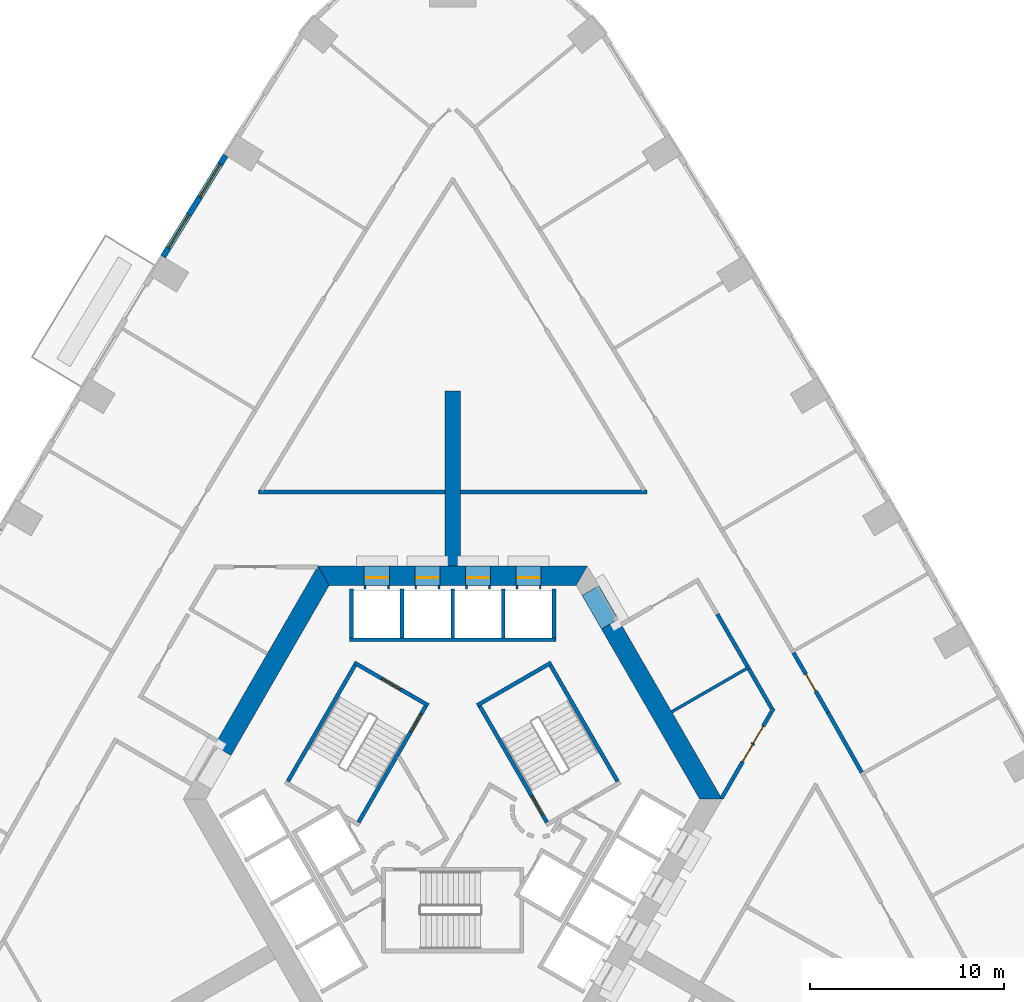
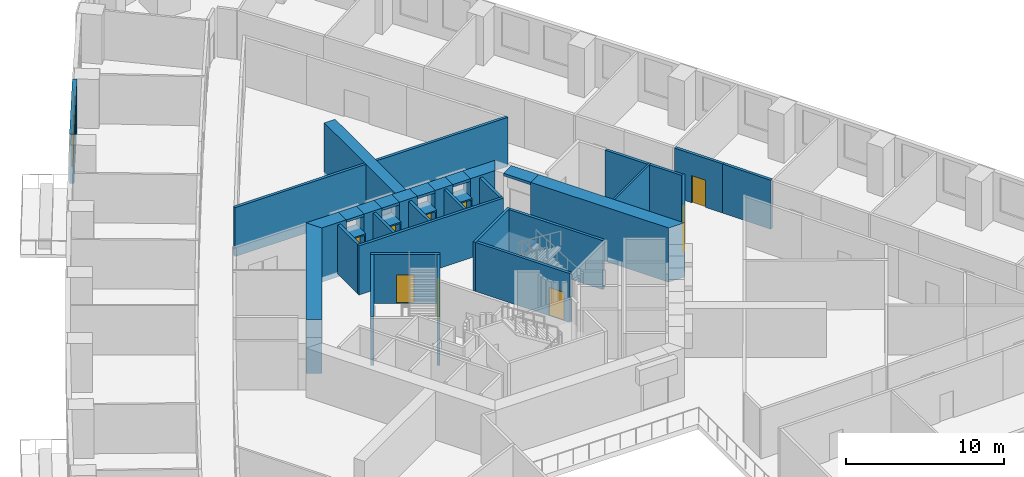
# One storey, part 9 of 16: 38 walls, 10 doors, 2 windows, 12 openings.
"""IFC4 building model written with IfcOpenShell, lengths in metres."""

from ifc_helpers import new_model, si_unit, direction, frame, frame_2d, origin, place, context, subcontext, project, spatial, polyline, rectangle, outline, extrude, material, layer, layer_set, type_object, element, fill, save


model = new_model("IFC4")

# Units and contexts
model_context = context("Model", 3, precision=1e-05, world=origin(), true_north=direction((0.0, 1.0)))
body_context = subcontext(model_context, "Body", "Model", "MODEL_VIEW")
ifc_project = project(units=[si_unit("LENGTHUNIT", "METRE"), si_unit("AREAUNIT", "SQUARE_METRE"), si_unit("VOLUMEUNIT", "CUBIC_METRE"), si_unit("PLANEANGLEUNIT", "RADIAN"), si_unit("MASSUNIT", "GRAM", prefix="KILO")], contexts=[model_context])

# Site, building, storey
site_placement = place(None, origin())
site = spatial("IfcSite", under=ifc_project, at=site_placement, CompositionType="ELEMENT")
building_placement = place(site_placement, origin())
building = spatial("IfcBuilding", under=site, at=building_placement, Name="Entoto Arch Interchange Tower", CompositionType="ELEMENT")
storey_placement = place(building_placement, frame((0.0, 0.0, 43.39990234375)))
storey = spatial("IfcBuildingStorey", under=building, at=storey_placement, Name="L08", CompositionType="ELEMENT", Elevation=43.39990234375)

# Walls
ifc_material_1 = material(Name="Concrete C60/75", Category="concrete")
ifc_layer_1 = layer(ifc_material_1, 0.800048828125)
ifc_layer_set_1 = layer_set([ifc_layer_1], Name="Concrete C60/75")
wall_type_1 = type_object("IfcWallType", Name="Buttress wall 800 C60/75", PredefinedType="SHEAR", material=ifc_layer_set_1)
wall_1_placement = place(storey_placement, frame((0.0, 14.5, -0.39990234375), z_axis=(0.0, 0.0, 1.0), x_axis=(0.0, 1.0, 0.0)))
element("IfcWall", 1, at=wall_1_placement, inside=storey, type_object=wall_type_1, Name="Buttress wall N L08", PredefinedType="SHEAR", context=body_context, shape_type="SweptSolid", body=[
    extrude(rectangle(XDim=9.0, YDim=0.800048828125, at=frame_2d((4.5, 0.0))), origin(), (0.0, 0.0, 1.0), 4.199951171875),
])
ifc_layer_2 = layer(ifc_material_1, 1.0)
ifc_layer_set_2 = layer_set([ifc_layer_2], Name="Concrete C60/75")
wall_type_2 = type_object("IfcWallType", Name="Core wall 1000 C60/75", PredefinedType="SHEAR", material=ifc_layer_set_2)
wall_2_placement = place(storey_placement, frame((0.0, 0.0, -0.39990234375)))
element("IfcWall", 2, at=wall_2_placement, inside=storey, type_object=wall_type_2, Name="Core wall NE L08", PredefinedType="SHEAR", context=body_context, shape_type="SweptSolid", body=[
    extrude(outline(polyline([(8.51708984375, 11.748046875), (7.65087890625, 11.248046875), (12.701904296875, 2.5), (13.85595703125, 2.5), (8.51708984375, 11.748046875)])), origin(), (0.0, 0.0, 1.0), 4.199951171875),
])
wall_3_placement = place(storey_placement, frame((0.0, 0.0, 3.60009765625)))
element("IfcWall", 3, at=wall_3_placement, inside=storey, type_object=wall_type_2, Name="Core wall lintel NE L08", PredefinedType="SHEAR", context=body_context, shape_type="SweptSolid", body=[
    extrude(outline(polyline([(7.51708984375, 13.47998046875), (6.65087890625, 12.97998046875), (7.65087890625, 11.248046875), (8.51708984375, 11.748046875), (7.51708984375, 13.47998046875)])), origin(), (0.0, 0.0, 1.0), 0.199951171875),
])
wall_4_placement = place(storey_placement, frame((0.0, 0.0, -0.39990234375)))
element("IfcWall", 4, at=wall_4_placement, inside=storey, type_object=wall_type_2, Name="Core wall N L08", PredefinedType="SHEAR", context=body_context, shape_type="SweptSolid", body=[
    extrude(outline(polyline([(4.550048828125, 14.5), (4.550048828125, 13.5), (6.35107421875, 13.5), (6.927978515625, 14.5), (4.550048828125, 14.5)])), origin(), (0.0, 0.0, 1.0), 4.199951171875),
])
wall_5_placement = place(storey_placement, frame((0.0, 0.0, -0.39990234375)))
element("IfcWall", 5, at=wall_5_placement, inside=storey, type_object=wall_type_2, Name="Core wall N L08", PredefinedType="SHEAR", context=body_context, shape_type="SweptSolid", body=[
    extrude(outline(polyline([(1.949951171875, 14.5), (1.949951171875, 13.5), (3.25, 13.5), (3.25, 14.5), (1.949951171875, 14.5)])), origin(), (0.0, 0.0, 1.0), 4.199951171875),
])
wall_6_placement = place(storey_placement, frame((0.0, 0.0, -0.39990234375)))
element("IfcWall", 6, at=wall_6_placement, inside=storey, type_object=wall_type_2, Name="Core wall N L08", PredefinedType="SHEAR", context=body_context, shape_type="SweptSolid", body=[
    extrude(outline(polyline([(-0.64990234375, 14.5), (-0.64990234375, 13.5), (0.64990234375, 13.5), (0.64990234375, 14.5), (-0.64990234375, 14.5)])), origin(), (0.0, 0.0, 1.0), 4.199951171875),
])
wall_7_placement = place(storey_placement, frame((0.0, 0.0, -0.39990234375)))
element("IfcWall", 7, at=wall_7_placement, inside=storey, type_object=wall_type_2, Name="Core wall N L08", PredefinedType="SHEAR", context=body_context, shape_type="SweptSolid", body=[
    extrude(outline(polyline([(-3.25, 14.5), (-3.25, 13.5), (-1.949951171875, 13.5), (-1.949951171875, 14.5), (-3.25, 14.5)])), origin(), (0.0, 0.0, 1.0), 4.199951171875),
])
wall_8_placement = place(storey_placement, frame((0.0, 0.0, -0.39990234375)))
element("IfcWall", 8, at=wall_8_placement, inside=storey, type_object=wall_type_2, Name="Core wall N L08", PredefinedType="SHEAR", context=body_context, shape_type="SweptSolid", body=[
    extrude(outline(polyline([(-4.550048828125, 13.5), (-4.550048828125, 14.5), (-6.927978515625, 14.5), (-6.35107421875, 13.5), (-4.550048828125, 13.5)])), origin(), (0.0, 0.0, 1.0), 4.199951171875),
])
wall_9_placement = place(storey_placement, frame((0.0, 0.0, 3.60009765625)))
element("IfcWall", 9, at=wall_9_placement, inside=storey, type_object=wall_type_2, Name="Core wall lintel N L08", PredefinedType="SHEAR", context=body_context, shape_type="SweptSolid", body=[
    extrude(outline(polyline([(3.25, 14.5), (3.25, 13.5), (4.550048828125, 13.5), (4.550048828125, 14.5), (3.25, 14.5)])), origin(), (0.0, 0.0, 1.0), 0.199951171875),
])
wall_10_placement = place(storey_placement, frame((0.0, 0.0, 3.60009765625)))
element("IfcWall", 10, at=wall_10_placement, inside=storey, type_object=wall_type_2, Name="Core wall lintel N L08", PredefinedType="SHEAR", context=body_context, shape_type="SweptSolid", body=[
    extrude(outline(polyline([(0.64990234375, 14.5), (0.64990234375, 13.5), (1.949951171875, 13.5), (1.949951171875, 14.5), (0.64990234375, 14.5)])), origin(), (0.0, 0.0, 1.0), 0.199951171875),
])
wall_11_placement = place(storey_placement, frame((0.0, 0.0, 3.60009765625)))
element("IfcWall", 11, at=wall_11_placement, inside=storey, type_object=wall_type_2, Name="Core wall lintel N L08", PredefinedType="SHEAR", context=body_context, shape_type="SweptSolid", body=[
    extrude(outline(polyline([(-1.949951171875, 14.5), (-1.949951171875, 13.5), (-0.64990234375, 13.5), (-0.64990234375, 14.5), (-1.949951171875, 14.5)])), origin(), (0.0, 0.0, 1.0), 0.199951171875),
])
wall_12_placement = place(storey_placement, frame((0.0, 0.0, 3.60009765625)))
element("IfcWall", 12, at=wall_12_placement, inside=storey, type_object=wall_type_2, Name="Core wall lintel N L08", PredefinedType="SHEAR", context=body_context, shape_type="SweptSolid", body=[
    extrude(outline(polyline([(-4.550048828125, 14.5), (-4.550048828125, 13.5), (-3.25, 13.5), (-3.25, 14.5), (-4.550048828125, 14.5)])), origin(), (0.0, 0.0, 1.0), 0.199951171875),
])
wall_13_placement = place(storey_placement, frame((0.0, 0.0, -0.39990234375)))
element("IfcWall", 13, at=wall_13_placement, inside=storey, type_object=wall_type_2, Name="Core wall NW L08", PredefinedType="SHEAR", context=body_context, shape_type="SweptSolid", body=[
    extrude(outline(polyline([(-12.26708984375, 5.251953125), (-11.402099609375, 4.751953125), (-6.35107421875, 13.5), (-6.927978515625, 14.5), (-12.26708984375, 5.251953125)])), origin(), (0.0, 0.0, 1.0), 4.199951171875),
])

# Wall, opening, door
ifc_material_2 = material(Name="Concrete C40/50", Category="concrete")
ifc_layer_3 = layer(ifc_material_2, 1.199951171875)
ifc_layer_set_3 = layer_set([ifc_layer_3], Name="Concrete C40/50")
wall_type_3 = type_object("IfcWallType", Name="LIFT LANDING INFILL WALL", PredefinedType="STANDARD", material=ifc_layer_set_3)
wall_14_placement = place(storey_placement, frame((4.550048828125, 13.89990234375, 0.0), z_axis=(0.0, 0.0, 1.0), x_axis=(-1.0, 0.0, 0.0)))
wall_14 = element("IfcWall", 14, at=wall_14_placement, inside=storey, type_object=wall_type_3, Name="Lift landing infill wall LR1 L08", PredefinedType="STANDARD", context=body_context, shape_type="SweptSolid", body=[
    extrude(rectangle(XDim=1.300048828125, YDim=1.199951171875, at=frame_2d((0.64990234375, 0.0))), origin(), (0.0, 0.0, 1.0), 2.400146484375),
])
opening_1_placement = place(wall_14_placement, frame((0.10009765625, 0.0, 0.0)))
opening_1 = element("IfcOpeningElement", 15, at=opening_1_placement, cuts=wall_14, Name="Opening LD-LR1-L08", PredefinedType="OPENING", context=body_context, shape_type="SweptSolid", body=[
    extrude(rectangle(XDim=1.10009765625, YDim=2.300048828125, at=frame_2d((0.550048828125, 1.14990234375))), frame((0.0, 0.60986328125, 0.0), z_axis=(0.0, -1.0, 0.0), x_axis=(1.0, 0.0, 0.0)), (0.0, 0.0, 1.0), 1.219970703125),
])
ifc_material_3 = material(Name="Stainless steel 1.4301 panels", Category="steel")
door_type_1 = type_object("IfcDoorType", Name="LIFT LANDING DOOR LD2 1100x2300", OperationType="SLIDING_TO_LEFT", PredefinedType="DOOR", material=ifc_material_3)
door_1_placement = place(opening_1_placement, origin())
door_1 = element("IfcDoor", 16, at=door_1_placement, inside=storey, type_object=door_type_1, Name="Lift landing door LR1 L08", OperationType="SLIDING_TO_LEFT", OverallHeight=2.300048828125, OverallWidth=1.10009765625, PredefinedType="DOOR", context=body_context, shape_type="SweptSolid", body=[
    extrude(rectangle(XDim=1.10009765625, YDim=2.300048828125, at=frame_2d((0.550048828125, 1.14990234375))), frame((0.0, 0.02490234375, 0.0), z_axis=(0.0, -1.0, 0.0), x_axis=(1.0, 0.0, 0.0)), (0.0, 0.0, 1.0), 0.050048828125),
])
fill(opening_1, door_1)

wall_15_placement = place(storey_placement, frame((1.949951171875, 13.89990234375, 0.0), z_axis=(0.0, 0.0, 1.0), x_axis=(-1.0, 0.0, 0.0)))
wall_15 = element("IfcWall", 17, at=wall_15_placement, inside=storey, type_object=wall_type_3, Name="Lift landing infill wall LR2 L08", PredefinedType="STANDARD", context=body_context, shape_type="SweptSolid", body=[
    extrude(rectangle(XDim=1.300048828125, YDim=1.199951171875, at=frame_2d((0.64990234375, 0.0))), origin(), (0.0, 0.0, 1.0), 2.400146484375),
])
opening_2_placement = place(wall_15_placement, frame((0.10009765625, 0.0, 0.0)))
opening_2 = element("IfcOpeningElement", 18, at=opening_2_placement, cuts=wall_15, Name="Opening LD-LR2-L08", PredefinedType="OPENING", context=body_context, shape_type="SweptSolid", body=[
    extrude(rectangle(XDim=1.10009765625, YDim=2.300048828125, at=frame_2d((0.550048828125, 1.14990234375))), frame((0.0, 0.60986328125, 0.0), z_axis=(0.0, -1.0, 0.0), x_axis=(1.0, 0.0, 0.0)), (0.0, 0.0, 1.0), 1.219970703125),
])
door_2_placement = place(opening_2_placement, origin())
door_2 = element("IfcDoor", 19, at=door_2_placement, inside=storey, type_object=door_type_1, Name="Lift landing door LR2 L08", OperationType="SLIDING_TO_LEFT", OverallHeight=2.300048828125, OverallWidth=1.10009765625, PredefinedType="DOOR", context=body_context, shape_type="SweptSolid", body=[
    extrude(rectangle(XDim=1.10009765625, YDim=2.300048828125, at=frame_2d((0.550048828125, 1.14990234375))), frame((0.0, 0.02490234375, 0.0), z_axis=(0.0, -1.0, 0.0), x_axis=(1.0, 0.0, 0.0)), (0.0, 0.0, 1.0), 0.050048828125),
])
fill(opening_2, door_2)

wall_16_placement = place(storey_placement, frame((-0.64990234375, 13.89990234375, 0.0), z_axis=(0.0, 0.0, 1.0), x_axis=(-1.0, 0.0, 0.0)))
wall_16 = element("IfcWall", 20, at=wall_16_placement, inside=storey, type_object=wall_type_3, Name="Lift landing infill wall LR3 L08", PredefinedType="STANDARD", context=body_context, shape_type="SweptSolid", body=[
    extrude(rectangle(XDim=1.300048828125, YDim=1.199951171875, at=frame_2d((0.64990234375, 0.0))), origin(), (0.0, 0.0, 1.0), 2.400146484375),
])
opening_3_placement = place(wall_16_placement, frame((0.10009765625, 0.0, 0.0)))
opening_3 = element("IfcOpeningElement", 21, at=opening_3_placement, cuts=wall_16, Name="Opening LD-LR3-L08", PredefinedType="OPENING", context=body_context, shape_type="SweptSolid", body=[
    extrude(rectangle(XDim=1.10009765625, YDim=2.300048828125, at=frame_2d((0.550048828125, 1.14990234375))), frame((0.0, 0.60986328125, 0.0), z_axis=(0.0, -1.0, 0.0), x_axis=(1.0, 0.0, 0.0)), (0.0, 0.0, 1.0), 1.219970703125),
])
door_3_placement = place(opening_3_placement, origin())
door_3 = element("IfcDoor", 22, at=door_3_placement, inside=storey, type_object=door_type_1, Name="Lift landing door LR3 L08", OperationType="SLIDING_TO_LEFT", OverallHeight=2.300048828125, OverallWidth=1.10009765625, PredefinedType="DOOR", context=body_context, shape_type="SweptSolid", body=[
    extrude(rectangle(XDim=1.10009765625, YDim=2.300048828125, at=frame_2d((0.550048828125, 1.14990234375))), frame((0.0, 0.02490234375, 0.0), z_axis=(0.0, -1.0, 0.0), x_axis=(1.0, 0.0, 0.0)), (0.0, 0.0, 1.0), 0.050048828125),
])
fill(opening_3, door_3)

wall_17_placement = place(storey_placement, frame((-3.25, 13.89990234375, 0.0), z_axis=(0.0, 0.0, 1.0), x_axis=(-1.0, 0.0, 0.0)))
wall_17 = element("IfcWall", 23, at=wall_17_placement, inside=storey, type_object=wall_type_3, Name="Lift landing infill wall LR4 L08", PredefinedType="STANDARD", context=body_context, shape_type="SweptSolid", body=[
    extrude(rectangle(XDim=1.300048828125, YDim=1.199951171875, at=frame_2d((0.64990234375, 0.0))), origin(), (0.0, 0.0, 1.0), 2.400146484375),
])
opening_4_placement = place(wall_17_placement, frame((0.10009765625, 0.0, 0.0)))
opening_4 = element("IfcOpeningElement", 24, at=opening_4_placement, cuts=wall_17, Name="Opening LD-LR4-L08", PredefinedType="OPENING", context=body_context, shape_type="SweptSolid", body=[
    extrude(rectangle(XDim=1.10009765625, YDim=2.300048828125, at=frame_2d((0.550048828125, 1.14990234375))), frame((0.0, 0.60986328125, 0.0), z_axis=(0.0, -1.0, 0.0), x_axis=(1.0, 0.0, 0.0)), (0.0, 0.0, 1.0), 1.219970703125),
])
door_4_placement = place(opening_4_placement, origin())
door_4 = element("IfcDoor", 25, at=door_4_placement, inside=storey, type_object=door_type_1, Name="Lift landing door LR4 L08", OperationType="SLIDING_TO_LEFT", OverallHeight=2.300048828125, OverallWidth=1.10009765625, PredefinedType="DOOR", context=body_context, shape_type="SweptSolid", body=[
    extrude(rectangle(XDim=1.10009765625, YDim=2.300048828125, at=frame_2d((0.550048828125, 1.14990234375))), frame((0.0, 0.02490234375, 0.0), z_axis=(0.0, -1.0, 0.0), x_axis=(1.0, 0.0, 0.0)), (0.0, 0.0, 1.0), 0.050048828125),
])
fill(opening_4, door_4)

# Walls
ifc_layer_4 = layer(ifc_material_2, 0.199951171875)
ifc_layer_set_4 = layer_set([ifc_layer_4], Name="Concrete C40/50")
wall_type_4 = type_object("IfcWallType", Name="LIFT SHAFT WALL 200", PredefinedType="STANDARD", material=ifc_layer_set_4)
wall_18_placement = place(storey_placement, frame((5.300048828125, 10.699951171875, 0.0), z_axis=(0.0, 0.0, 1.0), x_axis=(-1.0, 0.0, 0.0)))
element("IfcWall", 26, at=wall_18_placement, inside=storey, type_object=wall_type_4, Name="Shaft wall N3 front", PredefinedType="STANDARD", context=body_context, shape_type="SweptSolid", body=[
    extrude(rectangle(XDim=10.60009765625, YDim=0.199951171875, at=frame_2d((5.300048828125, 0.0))), origin(), (0.0, 0.0, 1.0), 3.800048828125),
])
for number, where, z_axis, x_axis, name in (
    (27, (5.199951171875, 10.800048828125, 0.0), (0.0, 0.0, 1.0), (0.0, 1.0, 0.0), "Shaft wall N3 cross 1"),
    (28, (2.60009765625, 10.800048828125, 0.0), (0.0, 0.0, 1.0), (0.0, 1.0, 0.0), "Shaft wall N3 cross 2"),
    (29, (0.0, 10.800048828125, 0.0), (0.0, 0.0, 1.0), (0.0, 1.0, 0.0), "Shaft wall N3 cross 3"),
    (30, (-2.60009765625, 10.800048828125, 0.0), (0.0, 0.0, 1.0), (0.0, 1.0, 0.0), "Shaft wall N3 cross 4"),
    (31, (-5.199951171875, 10.800048828125, 0.0), (0.0, 0.0, 1.0), (0.0, 1.0, 0.0), "Shaft wall N3 cross 5"),
):
    element("IfcWall", number, at=place(storey_placement, frame(where, z_axis=z_axis, x_axis=x_axis)), inside=storey, type_object=wall_type_4, Name=name, PredefinedType="STANDARD", context=body_context, shape_type="SweptSolid", body=[
        extrude(rectangle(XDim=2.5, YDim=0.199951171875, at=frame_2d((1.25, 0.0))), origin(), (0.0, 0.0, 1.0), 3.800048828125),
    ])
ifc_material_4 = material(Name="Gypsum board partition on steel studs", Category="steel")
ifc_layer_5 = layer(ifc_material_4, 0.14990234375)
ifc_layer_set_5 = layer_set([ifc_layer_5], Name="Gypsum board partition on steel studs")
wall_type_5 = type_object("IfcWallType", Name="PARTITION 150", PredefinedType="PARTITIONING", material=ifc_layer_set_5)
wall_19_placement = place(storey_placement, frame((15.281005859375, 9.31494140625, 0.0), z_axis=(0.0, 0.0, 1.0), x_axis=(-0.86601742213, -0.500013824377, 0.0)))
element("IfcWall", 32, at=wall_19_placement, inside=storey, type_object=wall_type_5, Name="wall:L08:p086", PredefinedType="PARTITIONING", context=body_context, shape_type="SweptSolid", body=[
    extrude(rectangle(XDim=4.641845703125, YDim=0.14990234375, at=frame_2d((2.32080078125, 0.0))), origin(), (0.0, 0.0, 1.0), 3.800048828125),
])
ifc_layer_6 = layer(ifc_material_4, 0.199951171875)
ifc_layer_set_6 = layer_set([ifc_layer_6], Name="Gypsum board partition on steel studs")
wall_type_6 = type_object("IfcWallType", Name="PARTITION 200", PredefinedType="PARTITIONING", material=ifc_layer_set_6)
wall_20_placement = place(storey_placement, frame((15.156982421875, 9.330078125, 0.0), z_axis=(0.0, 0.0, 1.0), x_axis=(-0.500058580706, 0.865991579556, 0.0)))
element("IfcWall", 33, at=wall_20_placement, inside=storey, type_object=wall_type_6, Name="wall:L08:p004", PredefinedType="PARTITIONING", context=body_context, shape_type="SweptSolid", body=[
    extrude(rectangle(XDim=3.101806640625, YDim=0.199951171875, at=frame_2d((1.55078125, 0.0))), origin(), (0.0, 0.0, 1.0), 3.800048828125),
])
wall_21_placement = place(storey_placement, frame((16.39892578125, 7.177978515625, 0.0), z_axis=(0.0, 0.0, 1.0), x_axis=(-0.499873332494, 0.866098522953, 0.0)))
element("IfcWall", 34, at=wall_21_placement, inside=storey, type_object=wall_type_6, Name="wall:L08:p007", PredefinedType="PARTITIONING", context=body_context, shape_type="SweptSolid", body=[
    extrude(rectangle(XDim=2.33447265625, YDim=0.199951171875, at=frame_2d((1.167236328125, 0.0))), origin(), (0.0, 0.0, 1.0), 3.800048828125),
])

# Wall, opening, door
wall_22_placement = place(storey_placement, frame((17.52392578125, 10.031005859375, 0.0), z_axis=(0.0, 0.0, 1.0), x_axis=(0.499861717316, -0.86610522661, 0.0)))
wall_22 = element("IfcWall", 35, at=wall_22_placement, inside=storey, type_object=wall_type_6, Name="wall:L08:p045", PredefinedType="PARTITIONING", context=body_context, shape_type="SweptSolid", body=[
    extrude(rectangle(XDim=3.541015625, YDim=0.199951171875, at=frame_2d((1.7705078125, 0.0))), origin(), (0.0, 0.0, 1.0), 3.800048828125),
])
opening_5_placement = place(wall_22_placement, frame((1.27001953125, 0.0, 0.0)))
opening_5 = element("IfcOpeningElement", 36, at=opening_5_placement, cuts=wall_22, Name="Opening L08-D06", PredefinedType="OPENING", context=body_context, shape_type="SweptSolid", body=[
    extrude(rectangle(XDim=1.0, YDim=2.10009765625, at=frame_2d((0.5, 1.050048828125))), frame((0.0, 0.10986328125, 0.0), z_axis=(0.0, -1.0, 0.0), x_axis=(1.0, 0.0, 0.0)), (0.0, 0.0, 1.0), 0.219970703125),
])
ifc_material_5 = material(Name="Timber door leaf in Steel S235 frame", Category="steel")
door_type_2 = type_object("IfcDoorType", Name="DOOR DS-10 1000x2100", OperationType="SINGLE_SWING_LEFT", PredefinedType="DOOR", material=ifc_material_5)
door_5_placement = place(opening_5_placement, origin())
door_5 = element("IfcDoor", 37, at=door_5_placement, inside=storey, type_object=door_type_2, Name="door:L08:06", OperationType="SINGLE_SWING_LEFT", OverallHeight=2.10009765625, OverallWidth=1.0, PredefinedType="DOOR", context=body_context, shape_type="SweptSolid", body=[
    extrude(rectangle(XDim=1.0, YDim=2.10009765625, at=frame_2d((0.5, 1.050048828125))), frame((0.0, 0.02490234375, 0.0), z_axis=(0.0, -1.0, 0.0), x_axis=(1.0, 0.0, 0.0)), (0.0, 0.0, 1.0), 0.050048828125),
])
fill(opening_5, door_5)

# Wall
wall_23_placement = place(storey_placement, frame((19.2939453125, 6.964111328125, 0.0), z_axis=(0.0, 0.0, 1.0), x_axis=(0.491148159943, -0.871076050058, 0.0)))
element("IfcWall", 38, at=wall_23_placement, inside=storey, type_object=wall_type_6, Name="wall:L08:p046", PredefinedType="PARTITIONING", context=body_context, shape_type="SweptSolid", body=[
    extrude(rectangle(XDim=3.540771484375, YDim=0.199951171875, at=frame_2d((1.7705078125, 0.0))), origin(), (0.0, 0.0, 1.0), 3.800048828125),
])

# Wall, openings, doors
wall_24_placement = place(storey_placement, frame((13.826904296875, 2.550048828125, 0.0), z_axis=(0.0, 0.0, 1.0), x_axis=(0.50002563942, 0.866010600352, 0.0)))
wall_24 = element("IfcWall", 39, at=wall_24_placement, inside=storey, type_object=wall_type_6, Name="wall:L08:p087", PredefinedType="PARTITIONING", context=body_context, shape_type="SweptSolid", body=[
    extrude(rectangle(XDim=5.343994140625, YDim=0.199951171875, at=frame_2d((2.671875, 0.0))), origin(), (0.0, 0.0, 1.0), 3.800048828125),
])
opening_6_placement = place(wall_24_placement, frame((2.172119140625, 0.0, 0.0)))
opening_6 = element("IfcOpeningElement", 40, at=opening_6_placement, cuts=wall_24, Name="Opening L08-D37", PredefinedType="OPENING", context=body_context, shape_type="SweptSolid", body=[
    extrude(rectangle(XDim=1.0, YDim=2.10009765625, at=frame_2d((0.5, 1.050048828125))), frame((0.0, 0.10986328125, 0.0), z_axis=(0.0, -1.0, 0.0), x_axis=(1.0, 0.0, 0.0)), (0.0, 0.0, 1.0), 0.219970703125),
])
opening_7_placement = place(wall_24_placement, frame((3.27197265625, 0.0, 0.0)))
opening_7 = element("IfcOpeningElement", 41, at=opening_7_placement, cuts=wall_24, Name="Opening L08-D44", PredefinedType="OPENING", context=body_context, shape_type="SweptSolid", body=[
    extrude(rectangle(XDim=1.0, YDim=2.10009765625, at=frame_2d((0.5, 1.050048828125))), frame((0.0, 0.10986328125, 0.0), z_axis=(0.0, -1.0, 0.0), x_axis=(1.0, 0.0, 0.0)), (0.0, 0.0, 1.0), 0.219970703125),
])
door_6_placement = place(opening_6_placement, origin())
door_6 = element("IfcDoor", 42, at=door_6_placement, inside=storey, type_object=door_type_2, Name="door:L08:37", OperationType="SINGLE_SWING_LEFT", OverallHeight=2.10009765625, OverallWidth=1.0, PredefinedType="DOOR", context=body_context, shape_type="SweptSolid", body=[
    extrude(rectangle(XDim=1.0, YDim=2.10009765625, at=frame_2d((0.5, 1.050048828125))), frame((0.0, 0.02490234375, 0.0), z_axis=(0.0, -1.0, 0.0), x_axis=(1.0, 0.0, 0.0)), (0.0, 0.0, 1.0), 0.050048828125),
])
fill(opening_6, door_6)
door_7_placement = place(opening_7_placement, origin())
door_7 = element("IfcDoor", 43, at=door_7_placement, inside=storey, type_object=door_type_2, Name="door:L08:44", OperationType="SINGLE_SWING_RIGHT", OverallHeight=2.10009765625, OverallWidth=1.0, PredefinedType="DOOR", context=body_context, shape_type="SweptSolid", body=[
    extrude(rectangle(XDim=1.0, YDim=2.10009765625, at=frame_2d((0.5, 1.050048828125))), frame((0.0, 0.02490234375, 0.0), z_axis=(0.0, -1.0, 0.0), x_axis=(1.0, 0.0, 0.0)), (0.0, 0.0, 1.0), 0.050048828125),
])
fill(opening_7, door_7)

# Walls
for number, where, z_axis, x_axis, name in (
    (44, (-9.991943359375, 18.300048828125, 0.0), (0.0, 0.0, 1.0), (1.0, 0.0, 0.0), "wall:L08:p110"),
    (45, (0.39990234375, 18.300048828125, 0.0), (0.0, 0.0, 1.0), (1.0, 0.0, 0.0), "wall:L08:p110"),
):
    element("IfcWall", number, at=place(storey_placement, frame(where, z_axis=z_axis, x_axis=x_axis)), inside=storey, type_object=wall_type_6, Name=name, PredefinedType="PARTITIONING", context=body_context, shape_type="SweptSolid", body=[
        extrude(rectangle(XDim=9.592041015625, YDim=0.199951171875, at=frame_2d((4.7958984375, 0.0))), origin(), (0.0, 0.0, 1.0), 3.800048828125),
    ])
ifc_layer_7 = layer(ifc_material_2, 0.199951171875)
ifc_layer_set_7 = layer_set([ifc_layer_7], Name="Concrete C40/50")
wall_type_7 = type_object("IfcWallType", Name="STAIR ENCLOSURE WALL 200", PredefinedType="STANDARD", material=ifc_layer_set_7)
wall_25_placement = place(storey_placement, frame((1.256103515625, 7.323974609375, 0.0), z_axis=(0.0, 0.0, 1.0), x_axis=(0.866046073146, 0.499964197906, 0.0)))
element("IfcWall", 46, at=wall_25_placement, inside=storey, type_object=wall_type_7, Name="Stair wall ST-NE far", PredefinedType="STANDARD", context=body_context, shape_type="SweptSolid", body=[
    extrude(rectangle(XDim=4.400146484375, YDim=0.199951171875, at=frame_2d((2.2001953125, 0.0))), origin(), (0.0, 0.0, 1.0), 3.800048828125),
])

# Wall, opening, door
wall_26_placement = place(storey_placement, frame((4.843017578125, 1.31201171875, 0.0), z_axis=(0.0, 0.0, 1.0), x_axis=(-0.499963383562, 0.866046543262, 0.0)))
wall_26 = element("IfcWall", 47, at=wall_26_placement, inside=storey, type_object=wall_type_7, Name="Stair wall ST-NE hall", PredefinedType="STANDARD", context=body_context, shape_type="SweptSolid", body=[
    extrude(rectangle(XDim=6.900390625, YDim=0.199951171875, at=frame_2d((3.4501953125, 0.0))), origin(), (0.0, 0.0, 1.0), 3.800048828125),
])
opening_8_placement = place(wall_26_placement, frame((0.449951171875, 0.0, 0.0)))
opening_8 = element("IfcOpeningElement", 48, at=opening_8_placement, cuts=wall_26, Name="Opening SD-ST-NE-L08", PredefinedType="OPENING", context=body_context, shape_type="SweptSolid", body=[
    extrude(rectangle(XDim=1.10009765625, YDim=2.199951171875, at=frame_2d((0.550048828125, 1.10009765625))), frame((0.0, 0.10986328125, 0.0), z_axis=(0.0, -1.0, 0.0), x_axis=(1.0, 0.0, 0.0)), (0.0, 0.0, 1.0), 0.219970703125),
])
ifc_material_6 = material(Name="Steel S235", Category="steel")
door_type_3 = type_object("IfcDoorType", Name="STAIR DOOR SD1 1100x2200", OperationType="SINGLE_SWING_LEFT", PredefinedType="DOOR", material=ifc_material_6)
door_8_placement = place(opening_8_placement, origin())
door_8 = element("IfcDoor", 49, at=door_8_placement, inside=storey, type_object=door_type_3, Name="Stair door ST-NE L08", OperationType="SINGLE_SWING_LEFT", OverallHeight=2.199951171875, OverallWidth=1.10009765625, PredefinedType="DOOR", context=body_context, shape_type="SweptSolid", body=[
    extrude(rectangle(XDim=1.10009765625, YDim=2.199951171875, at=frame_2d((0.550048828125, 1.10009765625))), frame((0.0, 0.02490234375, 0.0), z_axis=(0.0, -1.0, 0.0), x_axis=(1.0, 0.0, 0.0)), (0.0, 0.0, 1.0), 0.050048828125),
])
fill(opening_8, door_8)

# Wall
wall_27_placement = place(storey_placement, frame((8.47998046875, 3.412109375, 0.0), z_axis=(0.0, 0.0, 1.0), x_axis=(-0.499978703459, 0.866037698999, 0.0)))
element("IfcWall", 50, at=wall_27_placement, inside=storey, type_object=wall_type_7, Name="Stair wall ST-NE back", PredefinedType="STANDARD", context=body_context, shape_type="SweptSolid", body=[
    extrude(rectangle(XDim=6.900146484375, YDim=0.199951171875, at=frame_2d((3.4501953125, 0.0))), origin(), (0.0, 0.0, 1.0), 3.800048828125),
])

# Wall, opening, door
wall_28_placement = place(storey_placement, frame((-1.256103515625, 7.323974609375, 0.0), z_axis=(0.0, 0.0, 1.0), x_axis=(-0.866046073146, 0.499964197906, 0.0)))
wall_28 = element("IfcWall", 51, at=wall_28_placement, inside=storey, type_object=wall_type_7, Name="Stair wall ST-NW near", PredefinedType="STANDARD", context=body_context, shape_type="SweptSolid", body=[
    extrude(rectangle(XDim=4.400146484375, YDim=0.199951171875, at=frame_2d((2.2001953125, 0.0))), origin(), (0.0, 0.0, 1.0), 3.800048828125),
])
opening_9_placement = place(wall_28_placement, frame((1.64990234375, 0.0, 0.0)))
opening_9 = element("IfcOpeningElement", 52, at=opening_9_placement, cuts=wall_28, Name="Opening SD-ST-NW-L08-E", PredefinedType="OPENING", context=body_context, shape_type="SweptSolid", body=[
    extrude(rectangle(XDim=1.10009765625, YDim=2.199951171875, at=frame_2d((0.550048828125, 1.10009765625))), frame((0.0, 0.10986328125, 0.0), z_axis=(0.0, -1.0, 0.0), x_axis=(1.0, 0.0, 0.0)), (0.0, 0.0, 1.0), 0.219970703125),
])
door_9_placement = place(opening_9_placement, origin())
door_9 = element("IfcDoor", 53, at=door_9_placement, inside=storey, type_object=door_type_3, Name="Stair door ST-NW L08 end", OperationType="SINGLE_SWING_LEFT", OverallHeight=2.199951171875, OverallWidth=1.10009765625, PredefinedType="DOOR", context=body_context, shape_type="SweptSolid", body=[
    extrude(rectangle(XDim=1.10009765625, YDim=2.199951171875, at=frame_2d((0.550048828125, 1.10009765625))), frame((0.0, 0.02490234375, 0.0), z_axis=(0.0, -1.0, 0.0), x_axis=(1.0, 0.0, 0.0)), (0.0, 0.0, 1.0), 0.050048828125),
])
fill(opening_9, door_9)

wall_29_placement = place(storey_placement, frame((-1.39306640625, 7.2880859375, 0.0), z_axis=(0.0, 0.0, 1.0), x_axis=(-0.499963383562, -0.866046543262, 0.0)))
wall_29 = element("IfcWall", 54, at=wall_29_placement, inside=storey, type_object=wall_type_7, Name="Stair wall ST-NW hall", PredefinedType="STANDARD", context=body_context, shape_type="SweptSolid", body=[
    extrude(rectangle(XDim=6.900390625, YDim=0.199951171875, at=frame_2d((3.4501953125, 0.0))), origin(), (0.0, 0.0, 1.0), 3.800048828125),
])
opening_10_placement = place(wall_29_placement, frame((0.449951171875, 0.0, 0.0)))
opening_10 = element("IfcOpeningElement", 55, at=opening_10_placement, cuts=wall_29, Name="Opening SD-ST-NW-L08", PredefinedType="OPENING", context=body_context, shape_type="SweptSolid", body=[
    extrude(rectangle(XDim=1.10009765625, YDim=2.199951171875, at=frame_2d((0.550048828125, 1.10009765625))), frame((0.0, 0.10986328125, 0.0), z_axis=(0.0, -1.0, 0.0), x_axis=(1.0, 0.0, 0.0)), (0.0, 0.0, 1.0), 0.219970703125),
])
door_10_placement = place(opening_10_placement, origin())
door_10 = element("IfcDoor", 56, at=door_10_placement, inside=storey, type_object=door_type_3, Name="Stair door ST-NW L08", OperationType="SINGLE_SWING_LEFT", OverallHeight=2.199951171875, OverallWidth=1.10009765625, PredefinedType="DOOR", context=body_context, shape_type="SweptSolid", body=[
    extrude(rectangle(XDim=1.10009765625, YDim=2.199951171875, at=frame_2d((0.550048828125, 1.10009765625))), frame((0.0, 0.02490234375, 0.0), z_axis=(0.0, -1.0, 0.0), x_axis=(1.0, 0.0, 0.0)), (0.0, 0.0, 1.0), 0.050048828125),
])
fill(opening_10, door_10)

# Wall
wall_30_placement = place(storey_placement, frame((-5.030029296875, 9.387939453125, 0.0), z_axis=(0.0, 0.0, 1.0), x_axis=(-0.499978703459, -0.866037698999, 0.0)))
element("IfcWall", 57, at=wall_30_placement, inside=storey, type_object=wall_type_7, Name="Stair wall ST-NW back", PredefinedType="STANDARD", context=body_context, shape_type="SweptSolid", body=[
    extrude(rectangle(XDim=6.900146484375, YDim=0.199951171875, at=frame_2d((3.4501953125, 0.0))), origin(), (0.0, 0.0, 1.0), 3.800048828125),
])

# Wall, openings, windows
ifc_material_7 = material(Name="Welded tuff (ignimbrite) cladding, warm buff", Category="masonry")
ifc_layer_8 = layer(ifc_material_7, 0.300048828125)
ifc_layer_set_8 = layer_set([ifc_layer_8], Name="Welded tuff (ignimbrite) cladding, warm buff")
wall_type_8 = type_object("IfcWallType", Name="STONE INFILL WALL 300", PredefinedType="STANDARD", material=ifc_layer_set_8)
wall_31_placement = place(storey_placement, frame((-11.679931640625, 35.60693359375, 0.0), z_axis=(0.0, 0.0, 1.0), x_axis=(-0.525791118496, -0.850613719447, 0.0)))
wall_31 = element("IfcWall", 58, at=wall_31_placement, inside=storey, type_object=wall_type_8, Name="Facade wall NW-02 L08", PredefinedType="STANDARD", context=body_context, shape_type="SweptSolid", body=[
    extrude(rectangle(XDim=6.11669921875, YDim=0.300048828125, at=frame_2d((3.058349609375, 0.0))), origin(), (0.0, 0.0, 1.0), 3.800048828125),
])
opening_11_placement = place(wall_31_placement, frame((0.529052734375, 0.0, 0.89990234375)))
opening_11 = element("IfcOpeningElement", 59, at=opening_11_placement, cuts=wall_31, Name="Opening WO-C", PredefinedType="OPENING", context=body_context, shape_type="SweptSolid", body=[
    extrude(rectangle(XDim=2.0, YDim=2.60009765625, at=frame_2d((1.0, 1.300048828125))), frame((0.0, 0.16015625, 0.0), z_axis=(0.0, -1.0, 0.0), x_axis=(1.0, 0.0, 0.0)), (0.0, 0.0, 1.0), 0.320068359375),
])
opening_12_placement = place(wall_31_placement, frame((3.587890625, 0.0, 0.89990234375)))
opening_12 = element("IfcOpeningElement", 60, at=opening_12_placement, cuts=wall_31, Name="Opening WO-C", PredefinedType="OPENING", context=body_context, shape_type="SweptSolid", body=[
    extrude(rectangle(XDim=2.0, YDim=2.60009765625, at=frame_2d((1.0, 1.300048828125))), frame((0.0, 0.16015625, 0.0), z_axis=(0.0, -1.0, 0.0), x_axis=(1.0, 0.0, 0.0)), (0.0, 0.0, 1.0), 0.320068359375),
])
ifc_material_8 = material(Name="Clear glass, low-e double glazed", Category="glass")
window_type = type_object("IfcWindowType", Name="WINDOW WO-C 2000x2600", PartitioningType="DOUBLE_PANEL_VERTICAL", PredefinedType="WINDOW", material=ifc_material_8)
window_1_placement = place(opening_11_placement, origin())
window_1 = element("IfcWindow", 61, at=window_1_placement, inside=storey, type_object=window_type, Name="Window WO-C NW-02 L08", OverallHeight=2.60009765625, OverallWidth=2.0, PartitioningType="SINGLE_PANEL", PredefinedType="WINDOW", context=body_context, shape_type="SweptSolid", body=[
    extrude(rectangle(XDim=2.0, YDim=2.60009765625, at=frame_2d((1.0, 1.300048828125))), frame((0.0, 0.030029296875, 0.0), z_axis=(0.0, -1.0, 0.0), x_axis=(1.0, 0.0, 0.0)), (0.0, 0.0, 1.0), 0.06005859375),
])
fill(opening_11, window_1)
window_2_placement = place(opening_12_placement, origin())
window_2 = element("IfcWindow", 62, at=window_2_placement, inside=storey, type_object=window_type, Name="Window WO-C NW-02 L08", OverallHeight=2.60009765625, OverallWidth=2.0, PartitioningType="SINGLE_PANEL", PredefinedType="WINDOW", context=body_context, shape_type="SweptSolid", body=[
    extrude(rectangle(XDim=2.0, YDim=2.60009765625, at=frame_2d((1.0, 1.300048828125))), frame((0.0, 0.030029296875, 0.0), z_axis=(0.0, -1.0, 0.0), x_axis=(1.0, 0.0, 0.0)), (0.0, 0.0, 1.0), 0.06005859375),
])
fill(opening_12, window_2)

save(model, "model.ifc")
